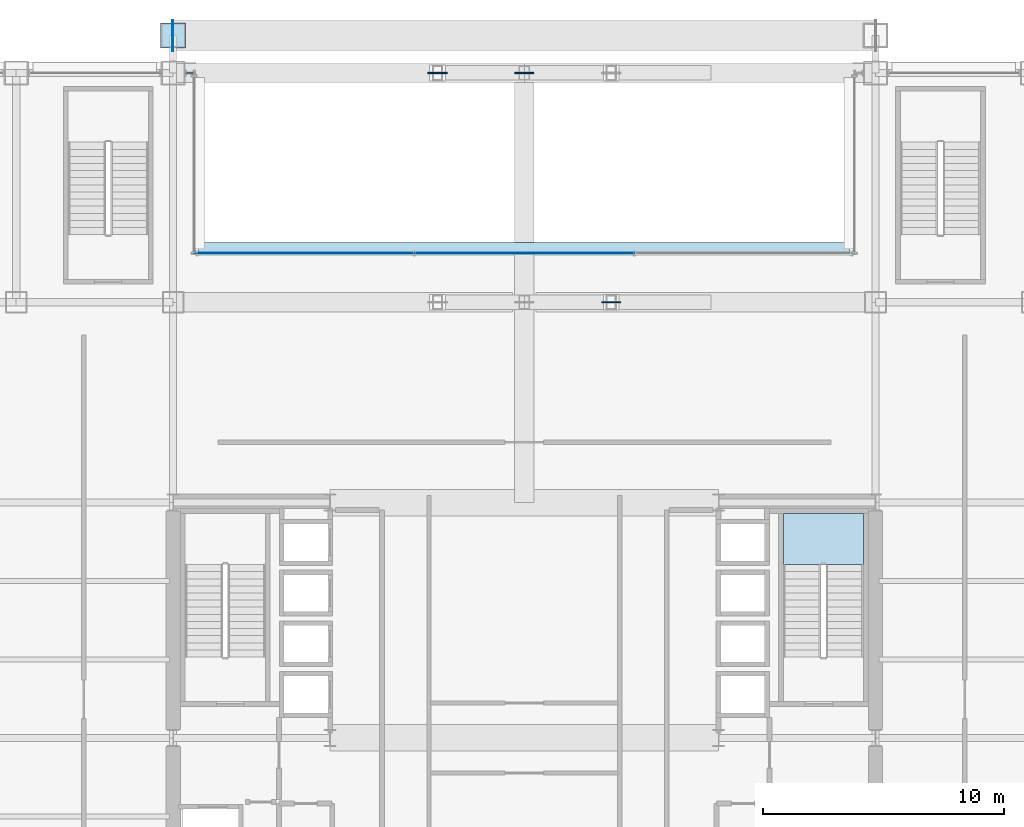
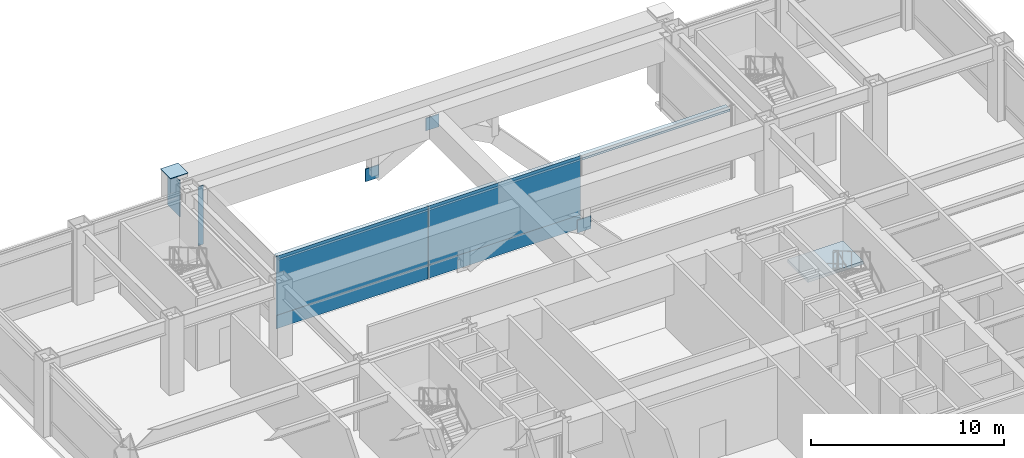
# One storey, part 29 of 37: 11 plates, 1 slab, 3 elements without a shape of their own.
"""IFC4 building model written with IfcOpenShell, lengths in metres."""

from ifc_helpers import new_model, si_unit, direction, frame, origin, origin_2d, place, context, subcontext, project, spatial, polyline, rectangle, outline, extrude, material, layer, layer_set, type_object, element, aggregate, save


model = new_model("IFC4")

# Units and contexts
model_context = context("Model", 3, precision=1e-05, world=origin(), true_north=direction((0.0, 1.0)))
body_context = subcontext(model_context, "Body", "Model", "MODEL_VIEW")
ifc_project = project(units=[si_unit("LENGTHUNIT", "METRE"), si_unit("AREAUNIT", "SQUARE_METRE"), si_unit("VOLUMEUNIT", "CUBIC_METRE"), si_unit("PLANEANGLEUNIT", "RADIAN"), si_unit("MASSUNIT", "GRAM", prefix="KILO")], contexts=[model_context])

# Site, building, storey
site_placement = place(None, origin())
site = spatial("IfcSite", under=ifc_project, at=site_placement, CompositionType="ELEMENT")
building_placement = place(site_placement, origin())
building = spatial("IfcBuilding", under=site, at=building_placement, Name="Brelmoor Portico Tower", CompositionType="ELEMENT")
storey_placement = place(building_placement, frame((0.0, 0.0, 14.39990234375)))
storey = spatial("IfcBuildingStorey", under=building, at=storey_placement, Name="L03", CompositionType="ELEMENT", Elevation=14.39990234375)

# Plates
ifc_material_1 = material(Name="Steel Q355B", Category="steel")
ifc_layer_1 = layer(ifc_material_1, 0.044921875)
ifc_layer_set_1 = layer_set([ifc_layer_1], Name="Steel Q355B")
plate_type_1 = type_object("IfcPlateType", Name="PT-CAP-650", PredefinedType="SHEET", material=ifc_layer_set_1)
plate_1_placement = place(storey_placement, frame((-14.550048828125, 29.10009765625, 4.800048828125), z_axis=(0.0, 0.0, 1.0), x_axis=(1.0, 0.0, 0.0)))
element("IfcPlate", 1, at=plate_1_placement, inside=storey, type_object=plate_type_1, Name="L03 Giant Arch Entrance Portal Pier EP-NW Welded Head Cap Plate", PredefinedType="SHEET", context=body_context, shape_type="SweptSolid", body=[
    extrude(rectangle(XDim=1.0400390625, YDim=1.0400390625, at=origin_2d()), origin(), (0.0, 0.0, 1.0), 0.0400390625),
])
plate_2_placement = place(storey_placement, frame((-14.570068359375, 29.10009765625, 2.31005859375), z_axis=(0.0, 0.0, 1.0), x_axis=(1.0, 0.0, 0.0)))
element("IfcPlate", 2, at=plate_2_placement, inside=storey, type_object=plate_type_1, Name="L03 Entrance Portal Header End Cap Plate N-W", PredefinedType="SHEET", context=body_context, shape_type="SweptSolid", body=[
    extrude(rectangle(XDim=0.0400390625, YDim=1.2900390625, at=origin_2d()), origin(), (0.0, 0.0, 1.0), 2.2900390625),
])

# Curtain wall, plate
ifc_material_2 = material(Name="Anodised Aluminium Alloy 6063-T6", Category="aluminium")
ifc_layer_2 = layer(ifc_material_2, 0.179931640625)
ifc_layer_set_2 = layer_set([ifc_layer_2], Name="Anodised Aluminium Alloy 6063-T6")
curtain_wall_type = type_object("IfcCurtainWallType", Name="CW-PODIUM-ARCH", PredefinedType="NOTDEFINED", material=ifc_layer_set_2)
curtain_wall_1_placement = place(storey_placement, origin())
curtain_wall_1 = element("IfcCurtainWall", 3, at=curtain_wall_1_placement, inside=storey, type_object=curtain_wall_type, Name="L03 Curtain Wall CW-L03-06-3", PredefinedType="NOTDEFINED")
ifc_material_3 = material(Name="Double-Silver Low-E Insulated Glazing", Category="glass")
ifc_layer_3 = layer(ifc_material_3, 0.035888671875)
ifc_layer_set_3 = layer_set([ifc_layer_3], Name="Double-Silver Low-E Insulated Glazing")
plate_type_2 = type_object("IfcPlateType", Name="PT-CW-GLASS", PredefinedType="CURTAIN_PANEL", material=ifc_layer_set_3)
plate_3_placement = place(storey_placement, frame((-13.860107421875, 27.550048828125, 0.85009765625), z_axis=(0.0, 0.0, 1.0), x_axis=(1.0, 0.0, 0.0)))
plate_3 = element("IfcPlate", 4, at=plate_3_placement, type_object=plate_type_2, Name="CW-L03-06-3 Vision Glass Panel 00", PredefinedType="CURTAIN_PANEL", context=body_context, shape_type="SweptSolid", body=[
    extrude(rectangle(XDim=0.330078125, YDim=0.035888671875, at=origin_2d()), origin(), (0.0, 0.0, 1.0), 3.72998046875),
])
aggregate(curtain_wall_1, [plate_3])

# Curtain wall, plates
curtain_wall_2_placement = place(storey_placement, origin())
curtain_wall_2 = element("IfcCurtainWall", 5, at=curtain_wall_2_placement, inside=storey, type_object=curtain_wall_type, Name="L03 Curtain Wall CW-L03-10", PredefinedType="NOTDEFINED")
plate_4_placement = place(storey_placement, frame((-9.1201171875, 20.080078125, 0.85009765625), z_axis=(0.0, 0.0, 1.0), x_axis=(1.0, 0.0, 0.0)))
plate_4 = element("IfcPlate", 6, at=plate_4_placement, type_object=plate_type_2, Name="CW-L03-10 Vision Glass Panel 00", PredefinedType="CURTAIN_PANEL", context=body_context, shape_type="SweptSolid", body=[
    extrude(rectangle(XDim=9.090087890625, YDim=0.035888671875, at=origin_2d()), origin(), (0.0, 0.0, 1.0), 3.72998046875),
])
plate_5_placement = place(storey_placement, frame((0.0, 20.080078125, 0.85009765625), z_axis=(0.0, 0.0, 1.0), x_axis=(1.0, 0.0, 0.0)))
plate_5 = element("IfcPlate", 7, at=plate_5_placement, type_object=plate_type_2, Name="CW-L03-10 Vision Glass Panel 01", PredefinedType="CURTAIN_PANEL", context=body_context, shape_type="SweptSolid", body=[
    extrude(rectangle(XDim=9.090087890625, YDim=0.035888671875, at=origin_2d()), origin(), (0.0, 0.0, 1.0), 3.72998046875),
])
ifc_material_4 = material(Name="Pale Champagne Anodised Aluminium Panel", Category="aluminium")
ifc_layer_4 = layer(ifc_material_4, 0.050048828125)
ifc_layer_set_4 = layer_set([ifc_layer_4], Name="Pale Champagne Anodised Aluminium Panel")
plate_type_3 = type_object("IfcPlateType", Name="PT-CW-SPANDREL", PredefinedType="SHEET", material=ifc_layer_set_4)
plate_6_placement = place(storey_placement, frame((-9.1201171875, 20.080078125, 0.0), z_axis=(0.0, 0.0, 1.0), x_axis=(1.0, 0.0, 0.0)))
plate_6 = element("IfcPlate", 8, at=plate_6_placement, type_object=plate_type_3, Name="CW-L03-10 Spandrel Panel 00", PredefinedType="SHEET", context=body_context, shape_type="SweptSolid", body=[
    extrude(rectangle(XDim=9.090087890625, YDim=0.050048828125, at=origin_2d()), origin(), (0.0, 0.0, 1.0), 0.85009765625),
])
plate_7_placement = place(storey_placement, frame((0.0, 20.080078125, 0.0), z_axis=(0.0, 0.0, 1.0), x_axis=(1.0, 0.0, 0.0)))
plate_7 = element("IfcPlate", 9, at=plate_7_placement, type_object=plate_type_3, Name="CW-L03-10 Spandrel Panel 01", PredefinedType="SHEET", context=body_context, shape_type="SweptSolid", body=[
    extrude(rectangle(XDim=9.090087890625, YDim=0.050048828125, at=origin_2d()), origin(), (0.0, 0.0, 1.0), 0.85009765625),
])
aggregate(curtain_wall_2, [plate_6, plate_4, plate_7, plate_5])

# Plates
ifc_layer_5 = layer(ifc_material_1, 0.050048828125)
ifc_layer_set_5 = layer_set([ifc_layer_5], Name="Steel Q355B")
plate_type_4 = type_object("IfcPlateType", Name="PT-GUSSET-800", PredefinedType="USERDEFINED", material=ifc_layer_set_5)
for number, where, z_axis, x_axis, name in (
    (10, (3.60009765625, 18.050048828125, 1.39990234375), (0.0, 0.0, 1.0), (1.0, 0.0, 0.0), "Portico Arch Gusset Plate N2-5"),
    (11, (-3.60009765625, 27.550048828125, 1.39990234375), (0.0, 0.0, 1.0), (1.0, 0.0, 0.0), "Portico Arch Gusset Plate N1-3"),
    (12, (0.0, 27.550048828125, 3.35498046875), (0.0, 0.0, 1.0), (1.0, 0.0, 0.0), "Portico Arch Gusset Plate N1-4"),
):
    element("IfcPlate", number, at=place(storey_placement, frame(where, z_axis=z_axis, x_axis=x_axis)), inside=storey, type_object=plate_type_4, Name=name, ObjectType="GUSSET PLATE", PredefinedType="USERDEFINED", context=body_context, shape_type="SweptSolid", body=[
        extrude(rectangle(XDim=0.800048828125, YDim=0.050048828125, at=origin_2d()), origin(), (0.0, 0.0, 1.0), 0.800048828125),
    ])
ifc_material_5 = material(Name="Pale Champagne Perforated Aluminium Solar Screen", Category="aluminium")
ifc_layer_6 = layer(ifc_material_5, 0.054931640625)
ifc_layer_set_6 = layer_set([ifc_layer_6], Name="Pale Champagne Perforated Aluminium Solar Screen")
plate_type_5 = type_object("IfcPlateType", Name="PT-SOLAR-LOUVRE", PredefinedType="SHEET", material=ifc_layer_set_6)
plate_8_placement = place(storey_placement, frame((0.0, 20.2900390625, 4.27001953125), z_axis=(0.0, 0.0, 1.0), x_axis=(1.0, 0.0, 0.0)))
element("IfcPlate", 13, at=plate_8_placement, inside=storey, type_object=plate_type_5, Name="CW-L03-10 Caribbean Brise-Soleil Solar Screen", PredefinedType="SHEET", context=body_context, shape_type="SweptSolid", body=[
    extrude(rectangle(XDim=27.0, YDim=0.4599609375, at=origin_2d()), origin(), (0.0, 0.0, 1.0), 0.139892578125),
])

# Stair, slab
ifc_material_6 = material(Name="Concrete C40", Category="concrete")
stair_type = type_object("IfcStairType", Name="ST-CORE-E", PredefinedType="HALF_TURN_STAIR", material=ifc_material_6)
stair_placement = place(storey_placement, origin())
stair = element("IfcStair", 14, at=stair_placement, inside=storey, type_object=stair_type, Name="L03 Protected Core Exit Stair ST-E", PredefinedType="HALF_TURN_STAIR")
ifc_layer_7 = layer(ifc_material_6, 0.179931640625)
ifc_layer_set_7 = layer_set([ifc_layer_7], Name="Concrete C40")
slab_type = type_object("IfcSlabType", Name="SL-LANDING-180", PredefinedType="LANDING", material=ifc_layer_set_7)
slab_placement = place(storey_placement, frame((0.0, 0.0, 2.2001953125)))
slab = element("IfcSlab", 15, at=slab_placement, type_object=slab_type, Name="ST-E landing 1", PredefinedType="LANDING", context=body_context, shape_type="SweptSolid", body=[
    extrude(outline(polyline([(14.050048828125, 7.18505859375), (14.050048828125, 9.300048828125), (10.72998046875, 9.300048828125), (10.72998046875, 7.18505859375), (14.050048828125, 7.18505859375)])), origin(), (0.0, 0.0, 1.0), 0.199951171875),
])
aggregate(stair, [slab])

save(model, "model.ifc")
